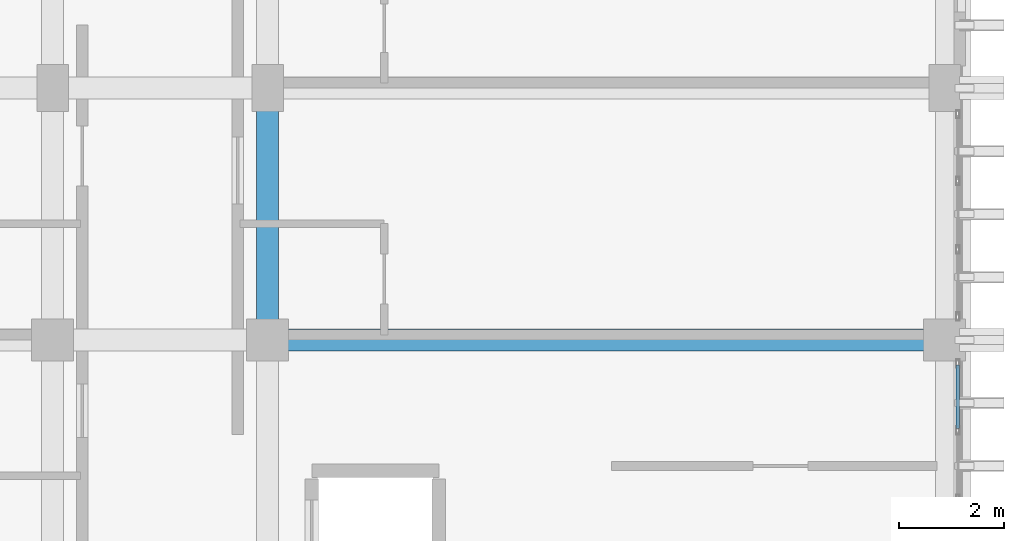
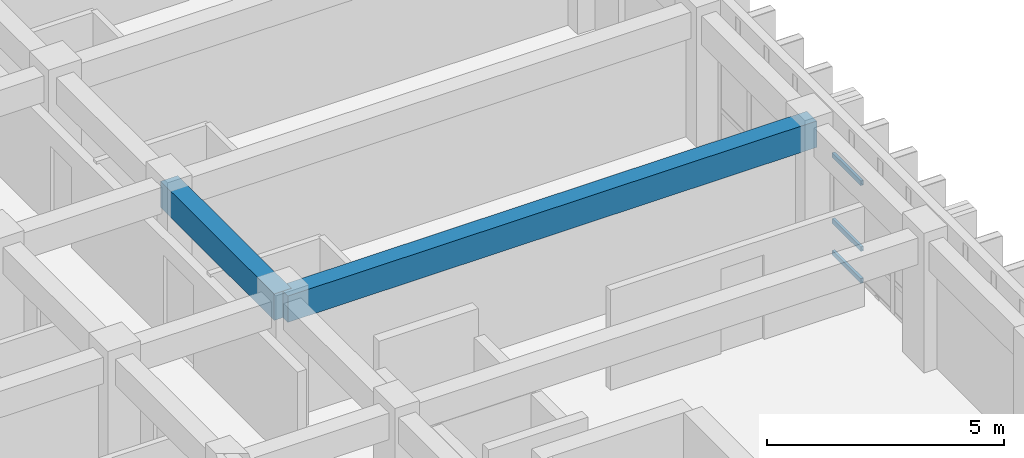
# One storey, part 26 of 82: 3 members, 2 beams, 1 element without a shape of its own.
"""IFC4 building model written with IfcOpenShell, lengths in metres."""

from ifc_helpers import new_model, si_unit, direction, frame, origin, origin_2d, place, context, subcontext, project, spatial, rectangle, hollow_rectangle, extrude, material, layer, layer_set, material_profile, profile_set, type_object, element, aggregate, save


model = new_model("IFC4")

# Units and contexts
model_context = context("Model", 3, precision=1e-05, world=origin(), true_north=direction((0.0, 1.0)))
body_context = subcontext(model_context, "Body", "Model", "MODEL_VIEW")
ifc_project = project(units=[si_unit("LENGTHUNIT", "METRE"), si_unit("AREAUNIT", "SQUARE_METRE"), si_unit("VOLUMEUNIT", "CUBIC_METRE"), si_unit("PLANEANGLEUNIT", "RADIAN"), si_unit("MASSUNIT", "GRAM", prefix="KILO")], contexts=[model_context])

# Site, building, storey
site_placement = place(None, origin())
site = spatial("IfcSite", under=ifc_project, at=site_placement, CompositionType="ELEMENT")
building_placement = place(site_placement, origin())
building = spatial("IfcBuilding", under=site, at=building_placement, Name="Nakhvara Creek Congress Hotel", CompositionType="ELEMENT")
storey_placement = place(building_placement, frame((0.0, 0.0, 21.0)))
storey = spatial("IfcBuildingStorey", under=building, at=storey_placement, Name="L04", CompositionType="ELEMENT", Elevation=21.0)

# Beams
ifc_material_1 = material(Name="Concrete C40/50", Category="concrete")
ifc_material_profile_1 = material_profile(ifc_material_1, rectangle(XDim=0.419921875, YDim=0.679931640625, at=origin_2d()), Name="RC-BM 420x680", Category="LoadBearing")
ifc_profile_set_1 = profile_set([ifc_material_profile_1], Name="Concrete C40/50")
beam_type = type_object("IfcBeamType", Name="BM-RC-420X680", PredefinedType="BEAM", material=ifc_profile_set_1)
beam_1_placement = place(storey_placement, frame((166.449951171875, 67.199951171875, 3.0), z_axis=(1.0, 0.0, 0.0), x_axis=(0.0, 1.0, 0.0)))
element("IfcBeam", 1, at=beam_1_placement, inside=storey, type_object=beam_type, Name="Beam B11-L04-1987", PredefinedType="BEAM", context=body_context, shape_type="SweptSolid", body=[
    extrude(rectangle(XDim=0.419921875, YDim=0.679931640625, at=origin_2d()), origin(), (0.0, 0.0, 1.0), 12.900146484375),
])
beam_2_placement = place(storey_placement, frame((166.449951171875, 67.199951171875, 3.0), z_axis=(0.0, 1.0, 0.0), x_axis=(-1.0, 0.0, 0.0)))
element("IfcBeam", 2, at=beam_2_placement, inside=storey, type_object=beam_type, Name="Beam B11-L04-1989", PredefinedType="BEAM", context=body_context, shape_type="SweptSolid", body=[
    extrude(rectangle(XDim=0.419921875, YDim=0.679931640625, at=origin_2d()), origin(), (0.0, 0.0, 1.0), 4.800048828125),
])

# Curtain wall, members
ifc_material_2 = material(Name="Bronze-anodised aluminium AW-6063-T6 and double-silver low-E glass", Category="aluminium")
ifc_layer = layer(ifc_material_2, 0.199951171875)
ifc_layer_set = layer_set([ifc_layer], Name="Bronze-anodised aluminium AW-6063-T6 and double-silver low-E glass")
curtain_wall_type = type_object("IfcCurtainWallType", Name="CW-HTL-UNIT", PredefinedType="USERDEFINED", material=ifc_layer_set)
curtain_wall_placement = place(storey_placement, origin())
curtain_wall = element("IfcCurtainWall", 3, at=curtain_wall_placement, inside=storey, type_object=curtain_wall_type, Name="Curtain Wall CW184", ObjectType="UNITISED", PredefinedType="USERDEFINED")
ifc_material_3 = material(Name="Bronze-anodised aluminium AW-6063-T6", Category="aluminium")
ifc_material_profile_2 = material_profile(ifc_material_3, hollow_rectangle(XDim=0.06494140625, YDim=0.1201171875, WallThickness=0.00390625, at=origin_2d()), Name="ALU-TRAN 65x120x4", Category="LoadBearing")
ifc_profile_set_2 = profile_set([ifc_material_profile_2], Name="Bronze-anodised aluminium AW-6063-T6")
member_type = type_object("IfcMemberType", Name="CW-TRAN-120", PredefinedType="USERDEFINED", material=ifc_profile_set_2)
member_1_placement = place(storey_placement, frame((179.60009765625, 66.719970703125, 0.032470703125), z_axis=(0.0, -1.0, 0.0), x_axis=(1.0, 0.0, 0.0)))
member_1 = element("IfcMember", 4, at=member_1_placement, type_object=member_type, Name="CW184 transom 1.1", ObjectType="TRANSOM", PredefinedType="USERDEFINED", context=body_context, shape_type="SweptSolid", body=[
    extrude(hollow_rectangle(XDim=0.06494140625, YDim=0.1201171875, WallThickness=0.00390625, at=origin_2d()), origin(), (0.0, 0.0, 1.0), 1.209228515625),
])
member_2_placement = place(storey_placement, frame((179.60009765625, 66.719970703125, 0.85009765625), z_axis=(0.0, -1.0, 0.0), x_axis=(1.0, 0.0, 0.0)))
member_2 = element("IfcMember", 5, at=member_2_placement, type_object=member_type, Name="CW184 transom 1.2", ObjectType="TRANSOM", PredefinedType="USERDEFINED", context=body_context, shape_type="SweptSolid", body=[
    extrude(hollow_rectangle(XDim=0.06494140625, YDim=0.1201171875, WallThickness=0.00390625, at=origin_2d()), origin(), (0.0, 0.0, 1.0), 1.209228515625),
])
member_3_placement = place(storey_placement, frame((179.60009765625, 66.719970703125, 2.549560546875), z_axis=(0.0, -1.0, 0.0), x_axis=(1.0, 0.0, 0.0)))
member_3 = element("IfcMember", 6, at=member_3_placement, type_object=member_type, Name="CW184 transom 1.3", ObjectType="TRANSOM", PredefinedType="USERDEFINED", context=body_context, shape_type="SweptSolid", body=[
    extrude(hollow_rectangle(XDim=0.06494140625, YDim=0.1201171875, WallThickness=0.00390625, at=origin_2d()), origin(), (0.0, 0.0, 1.0), 1.209228515625),
])
aggregate(curtain_wall, [member_1, member_2, member_3])

save(model, "model.ifc")
